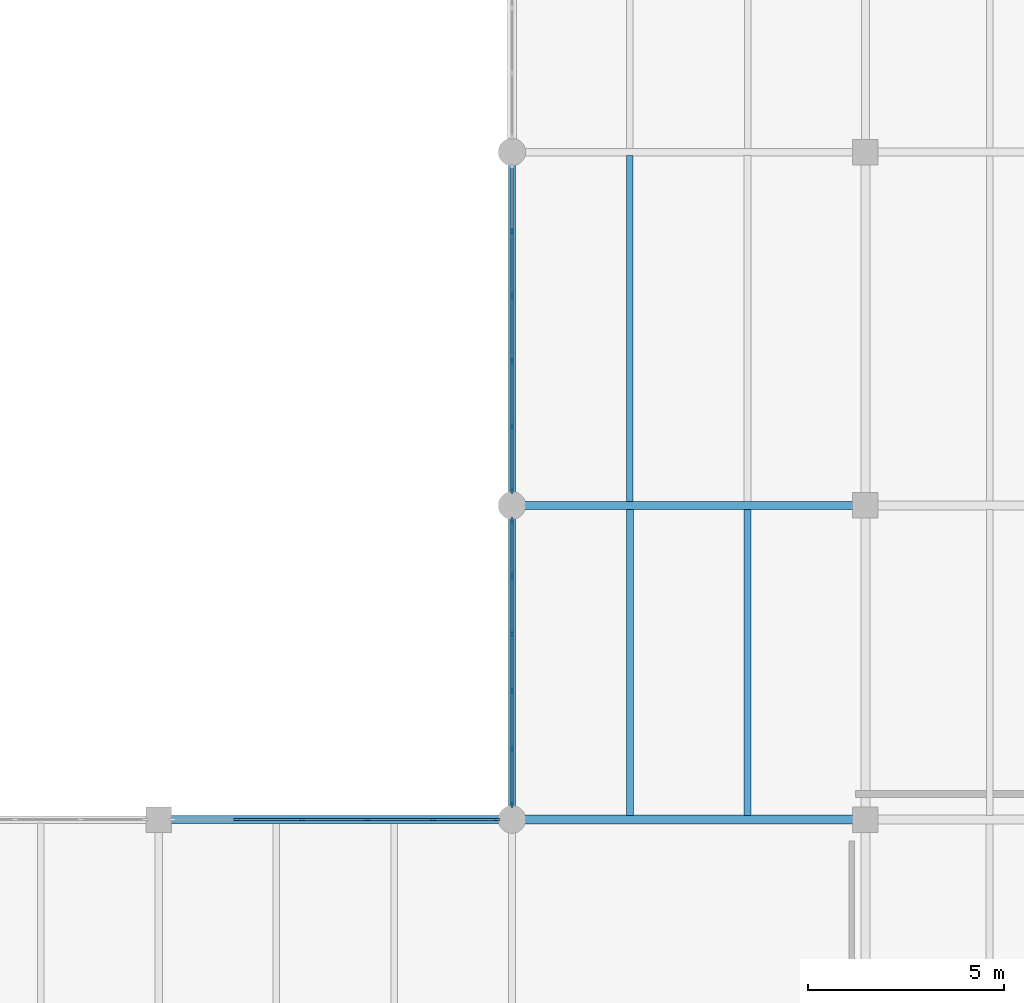
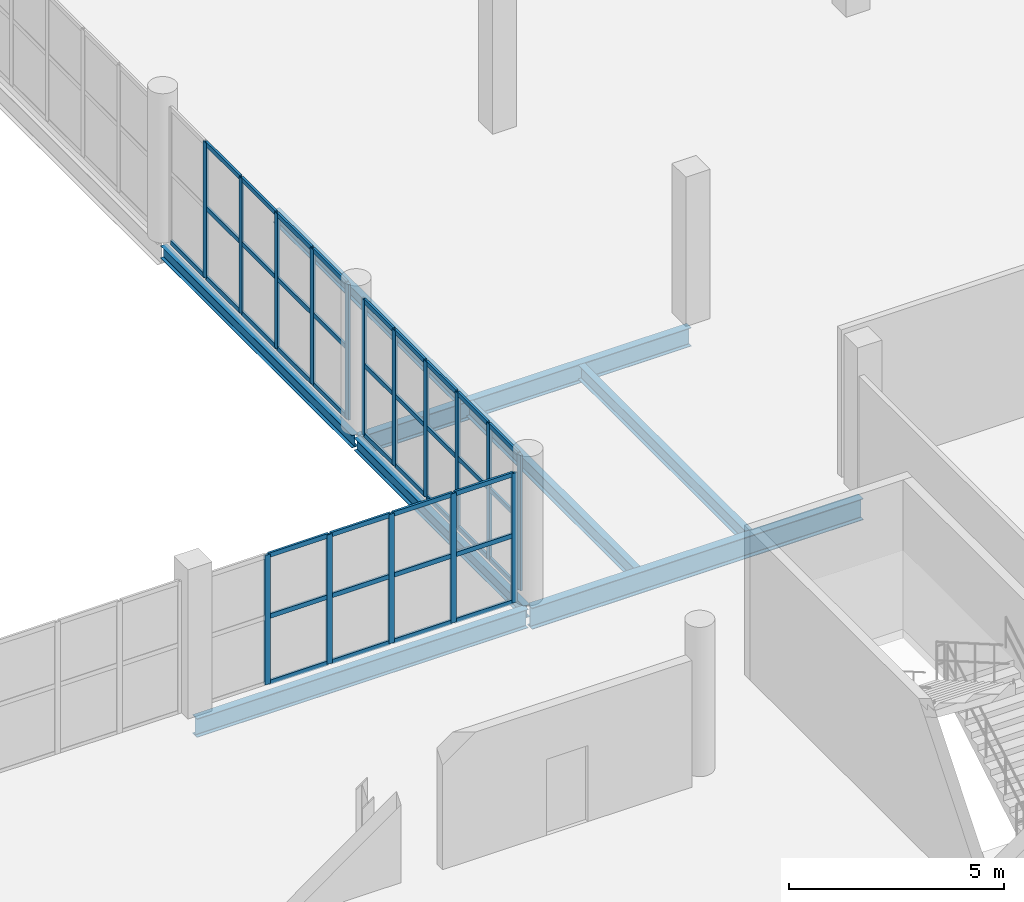
# One storey, part 45 of 85: 56 members, 8 beams, 3 elements without a shape of their own.
"""IFC4 building model written with IfcOpenShell, lengths in metres."""

from ifc_helpers import new_model, si_unit, direction, frame, origin, origin_2d, place, context, subcontext, project, spatial, rectangle, i_section, extrude, material, layer, layer_set, material_profile, profile_set, type_object, element, aggregate, save


model = new_model("IFC4")

# Units and contexts
model_context = context("Model", 3, precision=1e-05, world=origin(), true_north=direction((0.0, 1.0)))
body_context = subcontext(model_context, "Body", "Model", "MODEL_VIEW")
ifc_project = project(units=[si_unit("LENGTHUNIT", "METRE"), si_unit("AREAUNIT", "SQUARE_METRE"), si_unit("VOLUMEUNIT", "CUBIC_METRE"), si_unit("PLANEANGLEUNIT", "RADIAN"), si_unit("MASSUNIT", "GRAM", prefix="KILO")], contexts=[model_context])

# Site, building, storey
site_placement = place(None, origin())
site = spatial("IfcSite", under=ifc_project, at=site_placement, CompositionType="ELEMENT")
building_placement = place(site_placement, origin())
building = spatial("IfcBuilding", under=site, at=building_placement, Name="Marnock Terrace Opera House", CompositionType="ELEMENT")
storey_placement = place(building_placement, frame((0.0, 0.0, 10.199951171875)))
storey = spatial("IfcBuildingStorey", under=building, at=storey_placement, Name="L02", CompositionType="ELEMENT", Elevation=10.199951171875)

# Beams
ifc_material_1 = material(Name="Steel Grade 350 (AS/NZS 3679.1)", Category="steel")
ifc_material_profile_1 = material_profile(ifc_material_1, i_section(OverallWidth=0.1708984375, OverallDepth=0.355712890625, WebThickness=0.00732421875, FlangeThickness=0.011474609375, FilletRadius=0.011474609375, at=origin_2d()))
ifc_profile_set_1 = profile_set([ifc_material_profile_1], Name="Steel Grade 350 (AS/NZS 3679.1)")
beam_type_1 = type_object("IfcBeamType", Name="BM-GIRD-360", PredefinedType="BEAM", material=ifc_profile_set_1)
beam_1_placement = place(storey_placement, frame((136.0, 40.050048828125, -0.437744140625), z_axis=(0.0, 1.0, 0.0), x_axis=(-1.0, 0.0, 0.0)))
element("IfcBeam", 1, at=beam_1_placement, inside=storey, type_object=beam_type_1, Name="L02 girder (X=136.0, 40.0..48.0)", PredefinedType="BEAM", context=body_context, shape_type="SweptSolid", body=[
    extrude(i_section(OverallWidth=0.1708984375, OverallDepth=0.355712890625, WebThickness=0.00732421875, FlangeThickness=0.011474609375, FilletRadius=0.011474609375, at=origin_2d()), origin(), (0.0, 0.0, 1.0), 7.89990234375),
])
beam_2_placement = place(storey_placement, frame((136.0, 48.050048828125, -0.437744140625), z_axis=(0.0, 1.0, 0.0), x_axis=(-1.0, 0.0, 0.0)))
element("IfcBeam", 2, at=beam_2_placement, inside=storey, type_object=beam_type_1, Name="L02 girder (X=136.0, 48.0..57.0)", PredefinedType="BEAM", context=body_context, shape_type="SweptSolid", body=[
    extrude(i_section(OverallWidth=0.1708984375, OverallDepth=0.355712890625, WebThickness=0.00732421875, FlangeThickness=0.011474609375, FilletRadius=0.011474609375, at=origin_2d()), origin(), (0.0, 0.0, 1.0), 8.89990234375),
])
ifc_material_profile_2 = material_profile(ifc_material_1, i_section(OverallWidth=0.208984375, OverallDepth=0.532958984375, WebThickness=0.01025390625, FlangeThickness=0.015625, FilletRadius=0.013916015625, at=origin_2d()))
ifc_profile_set_2 = profile_set([ifc_material_profile_2], Name="Steel Grade 350 (AS/NZS 3679.1)")
beam_type_2 = type_object("IfcBeamType", Name="BM-GIRD-530A", PredefinedType="BEAM", material=ifc_profile_set_2)
for number, where, z_axis, x_axis, name in (
    (3, (127.050048828125, 40.0, -0.5263671875), (1.0, 0.0, 0.0), (0.0, 1.0, 0.0), "L02 girder (127.0..136.0, Y=40.0)"),
    (4, (136.050048828125, 48.0, -0.5263671875), (1.0, 0.0, 0.0), (0.0, 1.0, 0.0), "L02 girder (136.0..145.0, Y=48.0)"),
):
    element("IfcBeam", number, at=place(storey_placement, frame(where, z_axis=z_axis, x_axis=x_axis)), inside=storey, type_object=beam_type_2, Name=name, PredefinedType="BEAM", context=body_context, shape_type="SweptSolid", body=[
        extrude(i_section(OverallWidth=0.208984375, OverallDepth=0.532958984375, WebThickness=0.01025390625, FlangeThickness=0.015625, FilletRadius=0.013916015625, at=origin_2d()), origin(), (0.0, 0.0, 1.0), 8.89990234375),
    ])
ifc_material_profile_3 = material_profile(ifc_material_1, i_section(OverallWidth=0.22802734375, OverallDepth=0.60693359375, WebThickness=0.01123046875, FlangeThickness=0.017333984375, FilletRadius=0.013916015625, at=origin_2d()))
ifc_profile_set_3 = profile_set([ifc_material_profile_3], Name="Steel Grade 350 (AS/NZS 3679.1)")
beam_type_3 = type_object("IfcBeamType", Name="BM-GIRD-610B", PredefinedType="BEAM", material=ifc_profile_set_3)
beam_3_placement = place(storey_placement, frame((136.050048828125, 40.0, -0.5634765625), z_axis=(1.0, 0.0, 0.0), x_axis=(0.0, 1.0, 0.0)))
element("IfcBeam", 5, at=beam_3_placement, inside=storey, type_object=beam_type_3, Name="L02 girder (136.0..145.0, Y=40.0)", PredefinedType="BEAM", context=body_context, shape_type="SweptSolid", body=[
    extrude(i_section(OverallWidth=0.22802734375, OverallDepth=0.60693359375, WebThickness=0.01123046875, FlangeThickness=0.017333984375, FilletRadius=0.013916015625, at=origin_2d()), origin(), (0.0, 0.0, 1.0), 8.89990234375),
])
ifc_material_profile_4 = material_profile(ifc_material_1, i_section(OverallWidth=0.172119140625, OverallDepth=0.358642578125, WebThickness=0.008056640625, FlangeThickness=0.012939453125, FilletRadius=0.011474609375, at=origin_2d()))
ifc_profile_set_4 = profile_set([ifc_material_profile_4], Name="Steel Grade 350 (AS/NZS 3679.1)")
beam_type_4 = type_object("IfcBeamType", Name="BM-JOIST-360", PredefinedType="JOIST", material=ifc_profile_set_4)
beam_4_placement = place(storey_placement, frame((139.0, 48.099609375, -0.439208984375), z_axis=(0.0, 1.0, 0.0), x_axis=(-1.0, 0.0, 0.0)))
element("IfcBeam", 6, at=beam_4_placement, inside=storey, type_object=beam_type_4, Name="L02 secondary joist 15.6.1", PredefinedType="JOIST", context=body_context, shape_type="SweptSolid", body=[
    extrude(i_section(OverallWidth=0.172119140625, OverallDepth=0.358642578125, WebThickness=0.008056640625, FlangeThickness=0.012939453125, FilletRadius=0.011474609375, at=origin_2d()), origin(), (0.0, 0.0, 1.0), 8.809814453125),
])
ifc_material_profile_5 = material_profile(ifc_material_1, i_section(OverallWidth=0.177978515625, OverallDepth=0.406494140625, WebThickness=0.0078125, FlangeThickness=0.0126953125, FilletRadius=0.011474609375, at=origin_2d()))
ifc_profile_set_5 = profile_set([ifc_material_profile_5], Name="Steel Grade 350 (AS/NZS 3679.1)")
beam_type_5 = type_object("IfcBeamType", Name="BM-JOIST-410", PredefinedType="JOIST", material=ifc_profile_set_5)
for number, where, z_axis, x_axis, name in (
    (7, (139.0, 40.10888671875, -0.463134765625), (0.0, 1.0, 0.0), (-1.0, 0.0, 0.0), "L02 secondary joist 15.5.1"),
    (8, (142.0, 40.10888671875, -0.463134765625), (0.0, 1.0, 0.0), (-1.0, 0.0, 0.0), "L02 secondary joist 15.5.2"),
):
    element("IfcBeam", number, at=place(storey_placement, frame(where, z_axis=z_axis, x_axis=x_axis)), inside=storey, type_object=beam_type_5, Name=name, PredefinedType="JOIST", context=body_context, shape_type="SweptSolid", body=[
        extrude(i_section(OverallWidth=0.177978515625, OverallDepth=0.406494140625, WebThickness=0.0078125, FlangeThickness=0.0126953125, FilletRadius=0.011474609375, at=origin_2d()), origin(), (0.0, 0.0, 1.0), 7.79150390625),
    ])

# Curtain wall, members
ifc_material_2 = material(Name="Anodised architectural bronze aluminium framing", Category="aluminium")
ifc_layer = layer(ifc_material_2, 0.159912109375)
ifc_layer_set = layer_set([ifc_layer], Name="Anodised architectural bronze aluminium framing")
curtain_wall_type = type_object("IfcCurtainWallType", Name="CW-LOGGIA-86x42", PredefinedType="NOTDEFINED", material=ifc_layer_set)
curtain_wall_1_placement = place(storey_placement, origin())
curtain_wall_1 = element("IfcCurtainWall", 9, at=curtain_wall_1_placement, inside=storey, type_object=curtain_wall_type, Name="L02 glazed Beaux-Arts colonnade curtain wall CW-V5-L02-CS2", PredefinedType="NOTDEFINED")
ifc_material_profile_6 = material_profile(ifc_material_2, rectangle(XDim=0.06005859375, YDim=0.14990234375, at=origin_2d()))
ifc_profile_set_6 = profile_set([ifc_material_profile_6], Name="Anodised architectural bronze aluminium framing")
member_type_1 = type_object("IfcMemberType", Name="CWM-60x150", PredefinedType="MULLION", material=ifc_profile_set_6)
member_1_placement = place(storey_placement, frame((128.987548828125, 40.0, 0.0), z_axis=(0.0, 0.0, 1.0), x_axis=(0.0, 1.0, 0.0)))
member_1 = element("IfcMember", 10, at=member_1_placement, type_object=member_type_1, Name="CW-66 mullion 2", PredefinedType="MULLION", context=body_context, shape_type="SweptSolid", body=[
    extrude(rectangle(XDim=0.06005859375, YDim=0.14990234375, at=origin_2d()), origin(), (0.0, 0.0, 1.0), 3.677001953125),
])
member_2_placement = place(storey_placement, frame((130.654296875, 40.0, 0.0), z_axis=(0.0, 0.0, 1.0), x_axis=(0.0, 1.0, 0.0)))
member_2 = element("IfcMember", 11, at=member_2_placement, type_object=member_type_1, Name="CW-66 mullion 3", PredefinedType="MULLION", context=body_context, shape_type="SweptSolid", body=[
    extrude(rectangle(XDim=0.06005859375, YDim=0.14990234375, at=origin_2d()), origin(), (0.0, 0.0, 1.0), 3.677001953125),
])
member_3_placement = place(storey_placement, frame((132.32080078125, 40.0, 0.0), z_axis=(0.0, 0.0, 1.0), x_axis=(0.0, 1.0, 0.0)))
member_3 = element("IfcMember", 12, at=member_3_placement, type_object=member_type_1, Name="CW-66 mullion 4", PredefinedType="MULLION", context=body_context, shape_type="SweptSolid", body=[
    extrude(rectangle(XDim=0.06005859375, YDim=0.14990234375, at=origin_2d()), origin(), (0.0, 0.0, 1.0), 3.677001953125),
])
member_4_placement = place(storey_placement, frame((133.9873046875, 40.0, 0.0), z_axis=(0.0, 0.0, 1.0), x_axis=(0.0, 1.0, 0.0)))
member_4 = element("IfcMember", 13, at=member_4_placement, type_object=member_type_1, Name="CW-66 mullion 5", PredefinedType="MULLION", context=body_context, shape_type="SweptSolid", body=[
    extrude(rectangle(XDim=0.06005859375, YDim=0.14990234375, at=origin_2d()), origin(), (0.0, 0.0, 1.0), 3.677001953125),
])
member_5_placement = place(storey_placement, frame((135.6240234375, 40.0, 0.0), z_axis=(0.0, 0.0, 1.0), x_axis=(0.0, 1.0, 0.0)))
member_5 = element("IfcMember", 14, at=member_5_placement, type_object=member_type_1, Name="CW-66 mullion 6", PredefinedType="MULLION", context=body_context, shape_type="SweptSolid", body=[
    extrude(rectangle(XDim=0.06005859375, YDim=0.14990234375, at=origin_2d()), origin(), (0.0, 0.0, 1.0), 3.677001953125),
])

curtain_wall_2_placement = place(storey_placement, origin())
curtain_wall_2 = element("IfcCurtainWall", 15, at=curtain_wall_2_placement, inside=storey, type_object=curtain_wall_type, Name="L02 glazed Beaux-Arts colonnade curtain wall CW-V5-L02-CE1", PredefinedType="NOTDEFINED")
member_6_placement = place(storey_placement, frame((136.0, 40.3759765625, 0.0), z_axis=(0.0, 0.0, 1.0), x_axis=(-1.0, 0.0, 0.0)))
member_6 = element("IfcMember", 16, at=member_6_placement, type_object=member_type_1, Name="CW-66 mullion 1", PredefinedType="MULLION", context=body_context, shape_type="SweptSolid", body=[
    extrude(rectangle(XDim=0.06005859375, YDim=0.14990234375, at=origin_2d()), origin(), (0.0, 0.0, 1.0), 3.8544921875),
])
member_7_placement = place(storey_placement, frame((136.0, 41.8076171875, 0.0), z_axis=(0.0, 0.0, 1.0), x_axis=(-1.0, 0.0, 0.0)))
member_7 = element("IfcMember", 17, at=member_7_placement, type_object=member_type_1, Name="CW-66 mullion 2", PredefinedType="MULLION", context=body_context, shape_type="SweptSolid", body=[
    extrude(rectangle(XDim=0.06005859375, YDim=0.14990234375, at=origin_2d()), origin(), (0.0, 0.0, 1.0), 3.8544921875),
])
member_8_placement = place(storey_placement, frame((136.0, 43.269287109375, 0.0), z_axis=(0.0, 0.0, 1.0), x_axis=(-1.0, 0.0, 0.0)))
member_8 = element("IfcMember", 18, at=member_8_placement, type_object=member_type_1, Name="CW-66 mullion 3", PredefinedType="MULLION", context=body_context, shape_type="SweptSolid", body=[
    extrude(rectangle(XDim=0.06005859375, YDim=0.14990234375, at=origin_2d()), origin(), (0.0, 0.0, 1.0), 3.8544921875),
])
member_9_placement = place(storey_placement, frame((136.0, 44.730712890625, 0.0), z_axis=(0.0, 0.0, 1.0), x_axis=(-1.0, 0.0, 0.0)))
member_9 = element("IfcMember", 19, at=member_9_placement, type_object=member_type_1, Name="CW-66 mullion 4", PredefinedType="MULLION", context=body_context, shape_type="SweptSolid", body=[
    extrude(rectangle(XDim=0.06005859375, YDim=0.14990234375, at=origin_2d()), origin(), (0.0, 0.0, 1.0), 3.8544921875),
])
member_10_placement = place(storey_placement, frame((136.0, 46.1923828125, 0.0), z_axis=(0.0, 0.0, 1.0), x_axis=(-1.0, 0.0, 0.0)))
member_10 = element("IfcMember", 20, at=member_10_placement, type_object=member_type_1, Name="CW-66 mullion 5", PredefinedType="MULLION", context=body_context, shape_type="SweptSolid", body=[
    extrude(rectangle(XDim=0.06005859375, YDim=0.14990234375, at=origin_2d()), origin(), (0.0, 0.0, 1.0), 3.8544921875),
])
member_11_placement = place(storey_placement, frame((136.0, 47.6240234375, 0.0), z_axis=(0.0, 0.0, 1.0), x_axis=(-1.0, 0.0, 0.0)))
member_11 = element("IfcMember", 21, at=member_11_placement, type_object=member_type_1, Name="CW-66 mullion 6", PredefinedType="MULLION", context=body_context, shape_type="SweptSolid", body=[
    extrude(rectangle(XDim=0.06005859375, YDim=0.14990234375, at=origin_2d()), origin(), (0.0, 0.0, 1.0), 3.8544921875),
])

curtain_wall_3_placement = place(storey_placement, origin())
curtain_wall_3 = element("IfcCurtainWall", 22, at=curtain_wall_3_placement, inside=storey, type_object=curtain_wall_type, Name="L02 glazed Beaux-Arts colonnade curtain wall CW-V5-L02-CE2", PredefinedType="NOTDEFINED")
member_12_placement = place(storey_placement, frame((136.0, 48.3759765625, 0.0), z_axis=(0.0, 0.0, 1.0), x_axis=(-1.0, 0.0, 0.0)))
member_12 = element("IfcMember", 23, at=member_12_placement, type_object=member_type_1, Name="CW-66 mullion 1", PredefinedType="MULLION", context=body_context, shape_type="SweptSolid", body=[
    extrude(rectangle(XDim=0.06005859375, YDim=0.14990234375, at=origin_2d()), origin(), (0.0, 0.0, 1.0), 3.8544921875),
])
member_13_placement = place(storey_placement, frame((136.0, 50.007568359375, 0.0), z_axis=(0.0, 0.0, 1.0), x_axis=(-1.0, 0.0, 0.0)))
member_13 = element("IfcMember", 24, at=member_13_placement, type_object=member_type_1, Name="CW-66 mullion 2", PredefinedType="MULLION", context=body_context, shape_type="SweptSolid", body=[
    extrude(rectangle(XDim=0.06005859375, YDim=0.14990234375, at=origin_2d()), origin(), (0.0, 0.0, 1.0), 3.8544921875),
])
member_14_placement = place(storey_placement, frame((136.0, 51.669189453125, 0.0), z_axis=(0.0, 0.0, 1.0), x_axis=(-1.0, 0.0, 0.0)))
member_14 = element("IfcMember", 25, at=member_14_placement, type_object=member_type_1, Name="CW-66 mullion 3", PredefinedType="MULLION", context=body_context, shape_type="SweptSolid", body=[
    extrude(rectangle(XDim=0.06005859375, YDim=0.14990234375, at=origin_2d()), origin(), (0.0, 0.0, 1.0), 3.8544921875),
])
member_15_placement = place(storey_placement, frame((136.0, 53.330810546875, 0.0), z_axis=(0.0, 0.0, 1.0), x_axis=(-1.0, 0.0, 0.0)))
member_15 = element("IfcMember", 26, at=member_15_placement, type_object=member_type_1, Name="CW-66 mullion 4", PredefinedType="MULLION", context=body_context, shape_type="SweptSolid", body=[
    extrude(rectangle(XDim=0.06005859375, YDim=0.14990234375, at=origin_2d()), origin(), (0.0, 0.0, 1.0), 3.8544921875),
])
member_16_placement = place(storey_placement, frame((136.0, 54.992431640625, 0.0), z_axis=(0.0, 0.0, 1.0), x_axis=(-1.0, 0.0, 0.0)))
member_16 = element("IfcMember", 27, at=member_16_placement, type_object=member_type_1, Name="CW-66 mullion 5", PredefinedType="MULLION", context=body_context, shape_type="SweptSolid", body=[
    extrude(rectangle(XDim=0.06005859375, YDim=0.14990234375, at=origin_2d()), origin(), (0.0, 0.0, 1.0), 3.8544921875),
])

# Member
ifc_material_profile_7 = material_profile(ifc_material_2, rectangle(XDim=0.06005859375, YDim=0.1298828125, at=origin_2d()))
ifc_profile_set_7 = profile_set([ifc_material_profile_7], Name="Anodised architectural bronze aluminium framing")
member_type_2 = type_object("IfcMemberType", Name="CWT-60x130", PredefinedType="USERDEFINED", material=ifc_profile_set_7)
member_17_placement = place(storey_placement, frame((129.017578125, 40.0, 0.030029296875), z_axis=(1.0, 0.0, 0.0), x_axis=(0.0, 1.0, 0.0)))
member_17 = element("IfcMember", 28, at=member_17_placement, type_object=member_type_2, Name="CW-66 transom 2.1", ObjectType="TRANSOM", PredefinedType="USERDEFINED", context=body_context, shape_type="SweptSolid", body=[
    extrude(rectangle(XDim=0.06005859375, YDim=0.1298828125, at=origin_2d()), origin(), (0.0, 0.0, 1.0), 1.606689453125),
])

member_18_placement = place(storey_placement, frame((129.017578125, 40.0, 1.912109375), z_axis=(1.0, 0.0, 0.0), x_axis=(0.0, 1.0, 0.0)))
member_18 = element("IfcMember", 29, at=member_18_placement, type_object=member_type_2, Name="CW-66 transom 2.2", ObjectType="TRANSOM", PredefinedType="USERDEFINED", context=body_context, shape_type="SweptSolid", body=[
    extrude(rectangle(XDim=0.06005859375, YDim=0.1298828125, at=origin_2d()), origin(), (0.0, 0.0, 1.0), 1.606689453125),
])

member_19_placement = place(storey_placement, frame((129.017578125, 40.0, 3.64697265625), z_axis=(1.0, 0.0, 0.0), x_axis=(0.0, 1.0, 0.0)))
member_19 = element("IfcMember", 30, at=member_19_placement, type_object=member_type_2, Name="CW-66 transom 2.3", ObjectType="TRANSOM", PredefinedType="USERDEFINED", context=body_context, shape_type="SweptSolid", body=[
    extrude(rectangle(XDim=0.06005859375, YDim=0.1298828125, at=origin_2d()), origin(), (0.0, 0.0, 1.0), 1.606689453125),
])

member_20_placement = place(storey_placement, frame((130.68408203125, 40.0, 0.030029296875), z_axis=(1.0, 0.0, 0.0), x_axis=(0.0, 1.0, 0.0)))
member_20 = element("IfcMember", 31, at=member_20_placement, type_object=member_type_2, Name="CW-66 transom 3.1", ObjectType="TRANSOM", PredefinedType="USERDEFINED", context=body_context, shape_type="SweptSolid", body=[
    extrude(rectangle(XDim=0.06005859375, YDim=0.1298828125, at=origin_2d()), origin(), (0.0, 0.0, 1.0), 1.606689453125),
])

member_21_placement = place(storey_placement, frame((130.68408203125, 40.0, 1.912109375), z_axis=(1.0, 0.0, 0.0), x_axis=(0.0, 1.0, 0.0)))
member_21 = element("IfcMember", 32, at=member_21_placement, type_object=member_type_2, Name="CW-66 transom 3.2", ObjectType="TRANSOM", PredefinedType="USERDEFINED", context=body_context, shape_type="SweptSolid", body=[
    extrude(rectangle(XDim=0.06005859375, YDim=0.1298828125, at=origin_2d()), origin(), (0.0, 0.0, 1.0), 1.606689453125),
])

member_22_placement = place(storey_placement, frame((130.68408203125, 40.0, 3.64697265625), z_axis=(1.0, 0.0, 0.0), x_axis=(0.0, 1.0, 0.0)))
member_22 = element("IfcMember", 33, at=member_22_placement, type_object=member_type_2, Name="CW-66 transom 3.3", ObjectType="TRANSOM", PredefinedType="USERDEFINED", context=body_context, shape_type="SweptSolid", body=[
    extrude(rectangle(XDim=0.06005859375, YDim=0.1298828125, at=origin_2d()), origin(), (0.0, 0.0, 1.0), 1.606689453125),
])

member_23_placement = place(storey_placement, frame((132.350830078125, 40.0, 0.030029296875), z_axis=(1.0, 0.0, 0.0), x_axis=(0.0, 1.0, 0.0)))
member_23 = element("IfcMember", 34, at=member_23_placement, type_object=member_type_2, Name="CW-66 transom 4.1", ObjectType="TRANSOM", PredefinedType="USERDEFINED", context=body_context, shape_type="SweptSolid", body=[
    extrude(rectangle(XDim=0.06005859375, YDim=0.1298828125, at=origin_2d()), origin(), (0.0, 0.0, 1.0), 1.606689453125),
])

member_24_placement = place(storey_placement, frame((132.350830078125, 40.0, 1.912109375), z_axis=(1.0, 0.0, 0.0), x_axis=(0.0, 1.0, 0.0)))
member_24 = element("IfcMember", 35, at=member_24_placement, type_object=member_type_2, Name="CW-66 transom 4.2", ObjectType="TRANSOM", PredefinedType="USERDEFINED", context=body_context, shape_type="SweptSolid", body=[
    extrude(rectangle(XDim=0.06005859375, YDim=0.1298828125, at=origin_2d()), origin(), (0.0, 0.0, 1.0), 1.606689453125),
])

member_25_placement = place(storey_placement, frame((132.350830078125, 40.0, 3.64697265625), z_axis=(1.0, 0.0, 0.0), x_axis=(0.0, 1.0, 0.0)))
member_25 = element("IfcMember", 36, at=member_25_placement, type_object=member_type_2, Name="CW-66 transom 4.3", ObjectType="TRANSOM", PredefinedType="USERDEFINED", context=body_context, shape_type="SweptSolid", body=[
    extrude(rectangle(XDim=0.06005859375, YDim=0.1298828125, at=origin_2d()), origin(), (0.0, 0.0, 1.0), 1.606689453125),
])

member_26_placement = place(storey_placement, frame((134.017333984375, 40.0, 0.030029296875), z_axis=(1.0, 0.0, 0.0), x_axis=(0.0, 1.0, 0.0)))
member_26 = element("IfcMember", 37, at=member_26_placement, type_object=member_type_2, Name="CW-66 transom 5.1", ObjectType="TRANSOM", PredefinedType="USERDEFINED", context=body_context, shape_type="SweptSolid", body=[
    extrude(rectangle(XDim=0.06005859375, YDim=0.1298828125, at=origin_2d()), origin(), (0.0, 0.0, 1.0), 1.57666015625),
])

member_27_placement = place(storey_placement, frame((134.017333984375, 40.0, 1.912109375), z_axis=(1.0, 0.0, 0.0), x_axis=(0.0, 1.0, 0.0)))
member_27 = element("IfcMember", 38, at=member_27_placement, type_object=member_type_2, Name="CW-66 transom 5.2", ObjectType="TRANSOM", PredefinedType="USERDEFINED", context=body_context, shape_type="SweptSolid", body=[
    extrude(rectangle(XDim=0.06005859375, YDim=0.1298828125, at=origin_2d()), origin(), (0.0, 0.0, 1.0), 1.57666015625),
])

member_28_placement = place(storey_placement, frame((134.017333984375, 40.0, 3.64697265625), z_axis=(1.0, 0.0, 0.0), x_axis=(0.0, 1.0, 0.0)))
member_28 = element("IfcMember", 39, at=member_28_placement, type_object=member_type_2, Name="CW-66 transom 5.3", ObjectType="TRANSOM", PredefinedType="USERDEFINED", context=body_context, shape_type="SweptSolid", body=[
    extrude(rectangle(XDim=0.06005859375, YDim=0.1298828125, at=origin_2d()), origin(), (0.0, 0.0, 1.0), 1.57666015625),
])

aggregate(curtain_wall_1, [member_1, member_2, member_3, member_4, member_5, member_17, member_18, member_19, member_20, member_21, member_22, member_23, member_24, member_25, member_26, member_27, member_28])

member_29_placement = place(storey_placement, frame((136.0, 40.406005859375, 0.030029296875), z_axis=(0.0, 1.0, 0.0), x_axis=(-1.0, 0.0, 0.0)))
member_29 = element("IfcMember", 40, at=member_29_placement, type_object=member_type_2, Name="CW-66 transom 1.1", ObjectType="TRANSOM", PredefinedType="USERDEFINED", context=body_context, shape_type="SweptSolid", body=[
    extrude(rectangle(XDim=0.06005859375, YDim=0.1298828125, at=origin_2d()), origin(), (0.0, 0.0, 1.0), 1.37158203125),
])

member_30_placement = place(storey_placement, frame((136.0, 40.406005859375, 2.00439453125), z_axis=(0.0, 1.0, 0.0), x_axis=(-1.0, 0.0, 0.0)))
member_30 = element("IfcMember", 41, at=member_30_placement, type_object=member_type_2, Name="CW-66 transom 1.2", ObjectType="TRANSOM", PredefinedType="USERDEFINED", context=body_context, shape_type="SweptSolid", body=[
    extrude(rectangle(XDim=0.06005859375, YDim=0.1298828125, at=origin_2d()), origin(), (0.0, 0.0, 1.0), 1.37158203125),
])

member_31_placement = place(storey_placement, frame((136.0, 40.406005859375, 3.824462890625), z_axis=(0.0, 1.0, 0.0), x_axis=(-1.0, 0.0, 0.0)))
member_31 = element("IfcMember", 42, at=member_31_placement, type_object=member_type_2, Name="CW-66 transom 1.3", ObjectType="TRANSOM", PredefinedType="USERDEFINED", context=body_context, shape_type="SweptSolid", body=[
    extrude(rectangle(XDim=0.06005859375, YDim=0.1298828125, at=origin_2d()), origin(), (0.0, 0.0, 1.0), 1.37158203125),
])

member_32_placement = place(storey_placement, frame((136.0, 41.837646484375, 0.030029296875), z_axis=(0.0, 1.0, 0.0), x_axis=(-1.0, 0.0, 0.0)))
member_32 = element("IfcMember", 43, at=member_32_placement, type_object=member_type_2, Name="CW-66 transom 2.1", ObjectType="TRANSOM", PredefinedType="USERDEFINED", context=body_context, shape_type="SweptSolid", body=[
    extrude(rectangle(XDim=0.06005859375, YDim=0.1298828125, at=origin_2d()), origin(), (0.0, 0.0, 1.0), 1.401611328125),
])

member_33_placement = place(storey_placement, frame((136.0, 41.837646484375, 2.00439453125), z_axis=(0.0, 1.0, 0.0), x_axis=(-1.0, 0.0, 0.0)))
member_33 = element("IfcMember", 44, at=member_33_placement, type_object=member_type_2, Name="CW-66 transom 2.2", ObjectType="TRANSOM", PredefinedType="USERDEFINED", context=body_context, shape_type="SweptSolid", body=[
    extrude(rectangle(XDim=0.06005859375, YDim=0.1298828125, at=origin_2d()), origin(), (0.0, 0.0, 1.0), 1.401611328125),
])

member_34_placement = place(storey_placement, frame((136.0, 41.837646484375, 3.824462890625), z_axis=(0.0, 1.0, 0.0), x_axis=(-1.0, 0.0, 0.0)))
member_34 = element("IfcMember", 45, at=member_34_placement, type_object=member_type_2, Name="CW-66 transom 2.3", ObjectType="TRANSOM", PredefinedType="USERDEFINED", context=body_context, shape_type="SweptSolid", body=[
    extrude(rectangle(XDim=0.06005859375, YDim=0.1298828125, at=origin_2d()), origin(), (0.0, 0.0, 1.0), 1.401611328125),
])

member_35_placement = place(storey_placement, frame((136.0, 43.29931640625, 0.030029296875), z_axis=(0.0, 1.0, 0.0), x_axis=(-1.0, 0.0, 0.0)))
member_35 = element("IfcMember", 46, at=member_35_placement, type_object=member_type_2, Name="CW-66 transom 3.1", ObjectType="TRANSOM", PredefinedType="USERDEFINED", context=body_context, shape_type="SweptSolid", body=[
    extrude(rectangle(XDim=0.06005859375, YDim=0.1298828125, at=origin_2d()), origin(), (0.0, 0.0, 1.0), 1.4013671875),
])

member_36_placement = place(storey_placement, frame((136.0, 43.29931640625, 2.00439453125), z_axis=(0.0, 1.0, 0.0), x_axis=(-1.0, 0.0, 0.0)))
member_36 = element("IfcMember", 47, at=member_36_placement, type_object=member_type_2, Name="CW-66 transom 3.2", ObjectType="TRANSOM", PredefinedType="USERDEFINED", context=body_context, shape_type="SweptSolid", body=[
    extrude(rectangle(XDim=0.06005859375, YDim=0.1298828125, at=origin_2d()), origin(), (0.0, 0.0, 1.0), 1.4013671875),
])

member_37_placement = place(storey_placement, frame((136.0, 43.29931640625, 3.824462890625), z_axis=(0.0, 1.0, 0.0), x_axis=(-1.0, 0.0, 0.0)))
member_37 = element("IfcMember", 48, at=member_37_placement, type_object=member_type_2, Name="CW-66 transom 3.3", ObjectType="TRANSOM", PredefinedType="USERDEFINED", context=body_context, shape_type="SweptSolid", body=[
    extrude(rectangle(XDim=0.06005859375, YDim=0.1298828125, at=origin_2d()), origin(), (0.0, 0.0, 1.0), 1.4013671875),
])

member_38_placement = place(storey_placement, frame((136.0, 44.7607421875, 0.030029296875), z_axis=(0.0, 1.0, 0.0), x_axis=(-1.0, 0.0, 0.0)))
member_38 = element("IfcMember", 49, at=member_38_placement, type_object=member_type_2, Name="CW-66 transom 4.1", ObjectType="TRANSOM", PredefinedType="USERDEFINED", context=body_context, shape_type="SweptSolid", body=[
    extrude(rectangle(XDim=0.06005859375, YDim=0.1298828125, at=origin_2d()), origin(), (0.0, 0.0, 1.0), 1.401611328125),
])

member_39_placement = place(storey_placement, frame((136.0, 44.7607421875, 2.00439453125), z_axis=(0.0, 1.0, 0.0), x_axis=(-1.0, 0.0, 0.0)))
member_39 = element("IfcMember", 50, at=member_39_placement, type_object=member_type_2, Name="CW-66 transom 4.2", ObjectType="TRANSOM", PredefinedType="USERDEFINED", context=body_context, shape_type="SweptSolid", body=[
    extrude(rectangle(XDim=0.06005859375, YDim=0.1298828125, at=origin_2d()), origin(), (0.0, 0.0, 1.0), 1.401611328125),
])

member_40_placement = place(storey_placement, frame((136.0, 44.7607421875, 3.824462890625), z_axis=(0.0, 1.0, 0.0), x_axis=(-1.0, 0.0, 0.0)))
member_40 = element("IfcMember", 51, at=member_40_placement, type_object=member_type_2, Name="CW-66 transom 4.3", ObjectType="TRANSOM", PredefinedType="USERDEFINED", context=body_context, shape_type="SweptSolid", body=[
    extrude(rectangle(XDim=0.06005859375, YDim=0.1298828125, at=origin_2d()), origin(), (0.0, 0.0, 1.0), 1.401611328125),
])

member_41_placement = place(storey_placement, frame((136.0, 46.222412109375, 0.030029296875), z_axis=(0.0, 1.0, 0.0), x_axis=(-1.0, 0.0, 0.0)))
member_41 = element("IfcMember", 52, at=member_41_placement, type_object=member_type_2, Name="CW-66 transom 5.1", ObjectType="TRANSOM", PredefinedType="USERDEFINED", context=body_context, shape_type="SweptSolid", body=[
    extrude(rectangle(XDim=0.06005859375, YDim=0.1298828125, at=origin_2d()), origin(), (0.0, 0.0, 1.0), 1.37158203125),
])

member_42_placement = place(storey_placement, frame((136.0, 46.222412109375, 2.00439453125), z_axis=(0.0, 1.0, 0.0), x_axis=(-1.0, 0.0, 0.0)))
member_42 = element("IfcMember", 53, at=member_42_placement, type_object=member_type_2, Name="CW-66 transom 5.2", ObjectType="TRANSOM", PredefinedType="USERDEFINED", context=body_context, shape_type="SweptSolid", body=[
    extrude(rectangle(XDim=0.06005859375, YDim=0.1298828125, at=origin_2d()), origin(), (0.0, 0.0, 1.0), 1.37158203125),
])

member_43_placement = place(storey_placement, frame((136.0, 46.222412109375, 3.824462890625), z_axis=(0.0, 1.0, 0.0), x_axis=(-1.0, 0.0, 0.0)))
member_43 = element("IfcMember", 54, at=member_43_placement, type_object=member_type_2, Name="CW-66 transom 5.3", ObjectType="TRANSOM", PredefinedType="USERDEFINED", context=body_context, shape_type="SweptSolid", body=[
    extrude(rectangle(XDim=0.06005859375, YDim=0.1298828125, at=origin_2d()), origin(), (0.0, 0.0, 1.0), 1.37158203125),
])

aggregate(curtain_wall_2, [member_6, member_7, member_8, member_9, member_10, member_11, member_29, member_30, member_31, member_32, member_33, member_34, member_35, member_36, member_37, member_38, member_39, member_40, member_41, member_42, member_43])

member_44_placement = place(storey_placement, frame((136.0, 48.406005859375, 0.030029296875), z_axis=(0.0, 1.0, 0.0), x_axis=(-1.0, 0.0, 0.0)))
member_44 = element("IfcMember", 55, at=member_44_placement, type_object=member_type_2, Name="CW-66 transom 1.1", ObjectType="TRANSOM", PredefinedType="USERDEFINED", context=body_context, shape_type="SweptSolid", body=[
    extrude(rectangle(XDim=0.06005859375, YDim=0.1298828125, at=origin_2d()), origin(), (0.0, 0.0, 1.0), 1.571533203125),
])

member_45_placement = place(storey_placement, frame((136.0, 48.406005859375, 2.00439453125), z_axis=(0.0, 1.0, 0.0), x_axis=(-1.0, 0.0, 0.0)))
member_45 = element("IfcMember", 56, at=member_45_placement, type_object=member_type_2, Name="CW-66 transom 1.2", ObjectType="TRANSOM", PredefinedType="USERDEFINED", context=body_context, shape_type="SweptSolid", body=[
    extrude(rectangle(XDim=0.06005859375, YDim=0.1298828125, at=origin_2d()), origin(), (0.0, 0.0, 1.0), 1.571533203125),
])

member_46_placement = place(storey_placement, frame((136.0, 48.406005859375, 3.824462890625), z_axis=(0.0, 1.0, 0.0), x_axis=(-1.0, 0.0, 0.0)))
member_46 = element("IfcMember", 57, at=member_46_placement, type_object=member_type_2, Name="CW-66 transom 1.3", ObjectType="TRANSOM", PredefinedType="USERDEFINED", context=body_context, shape_type="SweptSolid", body=[
    extrude(rectangle(XDim=0.06005859375, YDim=0.1298828125, at=origin_2d()), origin(), (0.0, 0.0, 1.0), 1.571533203125),
])

member_47_placement = place(storey_placement, frame((136.0, 50.03759765625, 0.030029296875), z_axis=(0.0, 1.0, 0.0), x_axis=(-1.0, 0.0, 0.0)))
member_47 = element("IfcMember", 58, at=member_47_placement, type_object=member_type_2, Name="CW-66 transom 2.1", ObjectType="TRANSOM", PredefinedType="USERDEFINED", context=body_context, shape_type="SweptSolid", body=[
    extrude(rectangle(XDim=0.06005859375, YDim=0.1298828125, at=origin_2d()), origin(), (0.0, 0.0, 1.0), 1.6015625),
])

member_48_placement = place(storey_placement, frame((136.0, 50.03759765625, 2.00439453125), z_axis=(0.0, 1.0, 0.0), x_axis=(-1.0, 0.0, 0.0)))
member_48 = element("IfcMember", 59, at=member_48_placement, type_object=member_type_2, Name="CW-66 transom 2.2", ObjectType="TRANSOM", PredefinedType="USERDEFINED", context=body_context, shape_type="SweptSolid", body=[
    extrude(rectangle(XDim=0.06005859375, YDim=0.1298828125, at=origin_2d()), origin(), (0.0, 0.0, 1.0), 1.6015625),
])

member_49_placement = place(storey_placement, frame((136.0, 50.03759765625, 3.824462890625), z_axis=(0.0, 1.0, 0.0), x_axis=(-1.0, 0.0, 0.0)))
member_49 = element("IfcMember", 60, at=member_49_placement, type_object=member_type_2, Name="CW-66 transom 2.3", ObjectType="TRANSOM", PredefinedType="USERDEFINED", context=body_context, shape_type="SweptSolid", body=[
    extrude(rectangle(XDim=0.06005859375, YDim=0.1298828125, at=origin_2d()), origin(), (0.0, 0.0, 1.0), 1.6015625),
])

member_50_placement = place(storey_placement, frame((136.0, 51.69921875, 0.030029296875), z_axis=(0.0, 1.0, 0.0), x_axis=(-1.0, 0.0, 0.0)))
member_50 = element("IfcMember", 61, at=member_50_placement, type_object=member_type_2, Name="CW-66 transom 3.1", ObjectType="TRANSOM", PredefinedType="USERDEFINED", context=body_context, shape_type="SweptSolid", body=[
    extrude(rectangle(XDim=0.06005859375, YDim=0.1298828125, at=origin_2d()), origin(), (0.0, 0.0, 1.0), 1.6015625),
])

member_51_placement = place(storey_placement, frame((136.0, 51.69921875, 2.00439453125), z_axis=(0.0, 1.0, 0.0), x_axis=(-1.0, 0.0, 0.0)))
member_51 = element("IfcMember", 62, at=member_51_placement, type_object=member_type_2, Name="CW-66 transom 3.2", ObjectType="TRANSOM", PredefinedType="USERDEFINED", context=body_context, shape_type="SweptSolid", body=[
    extrude(rectangle(XDim=0.06005859375, YDim=0.1298828125, at=origin_2d()), origin(), (0.0, 0.0, 1.0), 1.6015625),
])

member_52_placement = place(storey_placement, frame((136.0, 51.69921875, 3.824462890625), z_axis=(0.0, 1.0, 0.0), x_axis=(-1.0, 0.0, 0.0)))
member_52 = element("IfcMember", 63, at=member_52_placement, type_object=member_type_2, Name="CW-66 transom 3.3", ObjectType="TRANSOM", PredefinedType="USERDEFINED", context=body_context, shape_type="SweptSolid", body=[
    extrude(rectangle(XDim=0.06005859375, YDim=0.1298828125, at=origin_2d()), origin(), (0.0, 0.0, 1.0), 1.6015625),
])

member_53_placement = place(storey_placement, frame((136.0, 53.36083984375, 0.030029296875), z_axis=(0.0, 1.0, 0.0), x_axis=(-1.0, 0.0, 0.0)))
member_53 = element("IfcMember", 64, at=member_53_placement, type_object=member_type_2, Name="CW-66 transom 4.1", ObjectType="TRANSOM", PredefinedType="USERDEFINED", context=body_context, shape_type="SweptSolid", body=[
    extrude(rectangle(XDim=0.06005859375, YDim=0.1298828125, at=origin_2d()), origin(), (0.0, 0.0, 1.0), 1.6015625),
])

member_54_placement = place(storey_placement, frame((136.0, 53.36083984375, 2.00439453125), z_axis=(0.0, 1.0, 0.0), x_axis=(-1.0, 0.0, 0.0)))
member_54 = element("IfcMember", 65, at=member_54_placement, type_object=member_type_2, Name="CW-66 transom 4.2", ObjectType="TRANSOM", PredefinedType="USERDEFINED", context=body_context, shape_type="SweptSolid", body=[
    extrude(rectangle(XDim=0.06005859375, YDim=0.1298828125, at=origin_2d()), origin(), (0.0, 0.0, 1.0), 1.6015625),
])

member_55_placement = place(storey_placement, frame((136.0, 53.36083984375, 3.824462890625), z_axis=(0.0, 1.0, 0.0), x_axis=(-1.0, 0.0, 0.0)))
member_55 = element("IfcMember", 66, at=member_55_placement, type_object=member_type_2, Name="CW-66 transom 4.3", ObjectType="TRANSOM", PredefinedType="USERDEFINED", context=body_context, shape_type="SweptSolid", body=[
    extrude(rectangle(XDim=0.06005859375, YDim=0.1298828125, at=origin_2d()), origin(), (0.0, 0.0, 1.0), 1.6015625),
])

member_56_placement = place(storey_placement, frame((136.0, 55.0224609375, 0.030029296875), z_axis=(0.0, 1.0, 0.0), x_axis=(-1.0, 0.0, 0.0)))
member_56 = element("IfcMember", 67, at=member_56_placement, type_object=member_type_2, Name="CW-66 transom 5.1", ObjectType="TRANSOM", PredefinedType="USERDEFINED", context=body_context, shape_type="SweptSolid", body=[
    extrude(rectangle(XDim=0.06005859375, YDim=0.1298828125, at=origin_2d()), origin(), (0.0, 0.0, 1.0), 1.571533203125),
])

aggregate(curtain_wall_3, [member_12, member_13, member_14, member_15, member_16, member_44, member_45, member_46, member_47, member_48, member_49, member_50, member_51, member_52, member_53, member_54, member_55, member_56])

save(model, "model.ifc")
